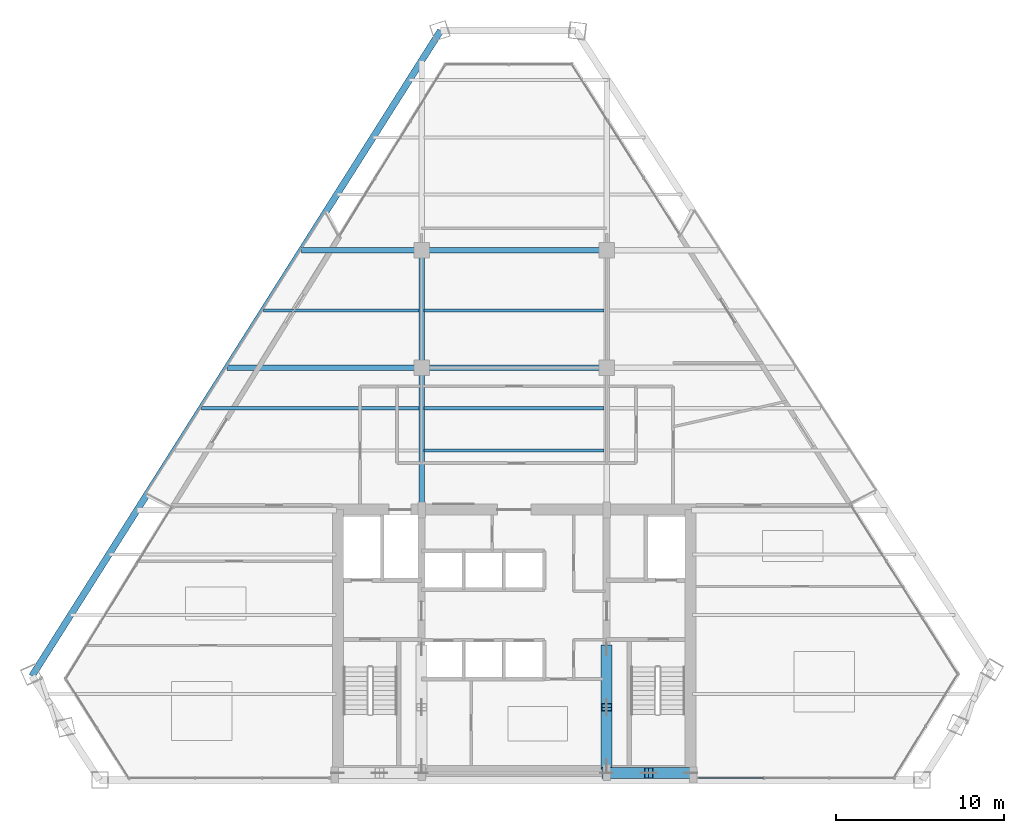
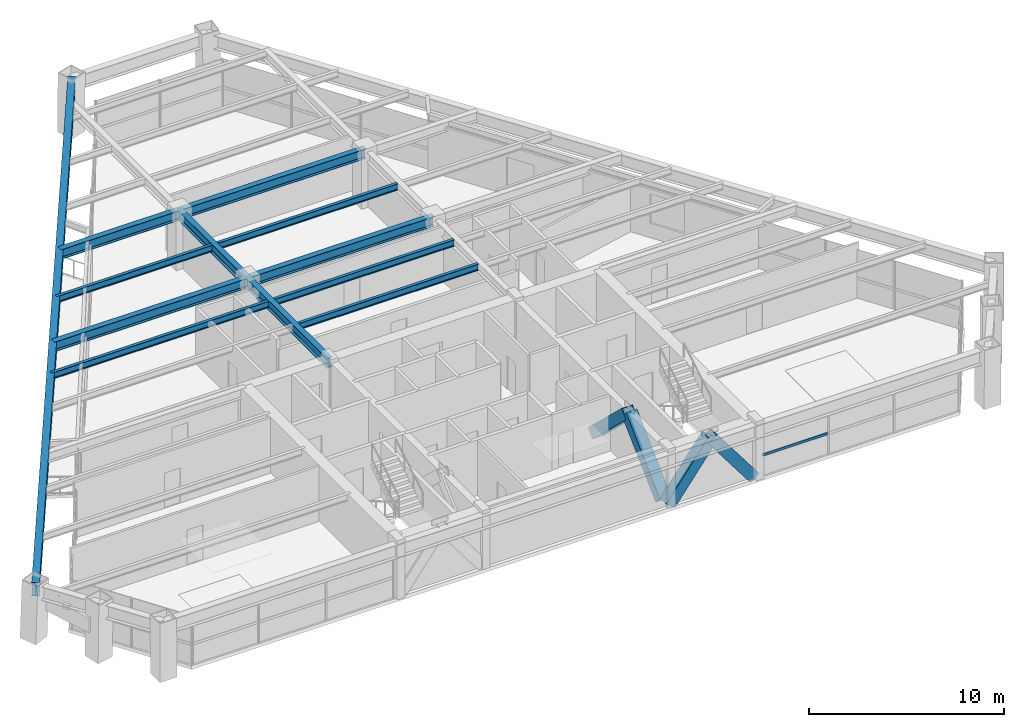
# One storey, part 5 of 15: 12 beams, 5 members, 1 element without a shape of its own.
"""IFC4 building model written with IfcOpenShell, lengths in metres."""

from ifc_helpers import new_model, si_unit, direction, frame, origin, origin_2d, place, context, subcontext, project, spatial, rectangle, hollow_rectangle, i_section, extrude, source, transform, mapped, material, material_profile, profile_set, type_object, type_shapes, element, aggregate, save


model = new_model("IFC4")

# Units and contexts
model_context = context("Model", 3, precision=1e-05, world=origin(), true_north=direction((0.0, 1.0)))
body_context = subcontext(model_context, "Body", "Model", "MODEL_VIEW")
ifc_project = project(units=[si_unit("LENGTHUNIT", "METRE"), si_unit("AREAUNIT", "SQUARE_METRE"), si_unit("VOLUMEUNIT", "CUBIC_METRE"), si_unit("PLANEANGLEUNIT", "RADIAN"), si_unit("MASSUNIT", "GRAM", prefix="KILO")], contexts=[model_context])

# Site, building, storey
site_placement = place(None, origin())
site = spatial("IfcSite", under=ifc_project, at=site_placement, CompositionType="ELEMENT")
building_placement = place(site_placement, origin())
building = spatial("IfcBuilding", under=site, at=building_placement, Name="Varnakhor Terracotta Tower", CompositionType="ELEMENT")
storey_placement = place(building_placement, frame((0.0, 0.0, 189.5)))
storey = spatial("IfcBuildingStorey", under=building, at=storey_placement, Name="L48", CompositionType="ELEMENT", Elevation=189.5)

# Beams
ifc_material_1 = material(Name="Steel S355", Category="steel")
ifc_material_profile_1 = material_profile(ifc_material_1, i_section(OverallWidth=0.324951171875, OverallDepth=0.615966796875, WebThickness=0.013916015625, FlangeThickness=0.02197265625, FilletRadius=0.01806640625, at=origin_2d()), Name="W24X117")
ifc_profile_set_1 = profile_set([ifc_material_profile_1], Name="Steel S355")
beam_type_1 = type_object("IfcBeamType", Name="BM-W24X117", PredefinedType="BEAM", material=ifc_profile_set_1)
shared_shape_1 = source(origin(), body_context, "Body", "SweptSolid", [
    extrude(i_section(OverallWidth=0.324951171875, OverallDepth=0.615966796875, WebThickness=0.013916015625, FlangeThickness=0.02197265625, FilletRadius=0.01806640625, at=origin_2d()), origin(), (0.0, 0.0, 1.0), 8.449951171875),
])
type_shapes(beam_type_1, [shared_shape_1])
beam_1_placement = place(storey_placement, frame((-5.5, 16.050048828125, 3.162109375), z_axis=(0.0, 1.0, 0.0), x_axis=(-1.0, 0.0, 0.0)))
element("IfcBeam", 1, at=beam_1_placement, inside=storey, type_object=beam_type_1, Name="L48 Primary Girder NS1-W", PredefinedType="BEAM", context=body_context, shape_type="MappedRepresentation", body=[
    mapped(shared_shape_1, transform((0.0, 0.0, 0.0), scale=1.0)),
])
shared_shape_2 = source(origin(), body_context, "Body", "SweptSolid", [
    extrude(i_section(OverallWidth=0.324951171875, OverallDepth=0.615966796875, WebThickness=0.013916015625, FlangeThickness=0.02197265625, FilletRadius=0.01806640625, at=origin_2d()), origin(), (0.0, 0.0, 1.0), 7.0),
])
beam_2_placement = place(storey_placement, frame((-5.5, 24.5, 3.162109375), z_axis=(0.0, 1.0, 0.0), x_axis=(-1.0, 0.0, 0.0)))
element("IfcBeam", 2, at=beam_2_placement, inside=storey, type_object=beam_type_1, Name="L48 Primary Girder NS2-W", PredefinedType="BEAM", context=body_context, shape_type="MappedRepresentation", body=[
    mapped(shared_shape_2, transform((0.0, 0.0, 0.0), scale=1.0)),
])
shared_shape_3 = source(origin(), body_context, "Body", "SweptSolid", [
    extrude(i_section(OverallWidth=0.324951171875, OverallDepth=0.615966796875, WebThickness=0.013916015625, FlangeThickness=0.02197265625, FilletRadius=0.01806640625, at=origin_2d()), origin(), (0.0, 0.0, 1.0), 11.0),
])
for number, where, z_axis, x_axis, name in (
    (3, (-5.5, 24.5, 3.162109375), (1.0, 0.0, 0.0), (0.0, 1.0, 0.0), "L48 Primary Girder EW2-2"),
    (4, (-5.5, 31.5, 3.162109375), (1.0, 0.0, 0.0), (0.0, 1.0, 0.0), "L48 Primary Girder EW3-2"),
):
    element("IfcBeam", number, at=place(storey_placement, frame(where, z_axis=z_axis, x_axis=x_axis)), inside=storey, type_object=beam_type_1, Name=name, PredefinedType="BEAM", context=body_context, shape_type="MappedRepresentation", body=[
        mapped(shared_shape_3, transform((0.0, 0.0, 0.0), scale=1.0)),
    ])
ifc_material_profile_2 = material_profile(ifc_material_1, i_section(OverallWidth=0.179931640625, OverallDepth=0.4130859375, WebThickness=0.009765625, FlangeThickness=0.01611328125, FilletRadius=0.01806640625, at=origin_2d()), Name="W16X50")
ifc_profile_set_2 = profile_set([ifc_material_profile_2], Name="Steel S355")
beam_type_2 = type_object("IfcBeamType", Name="JST-W16X50", PredefinedType="JOIST", material=ifc_profile_set_2)
shared_shape_4 = source(origin(), body_context, "Body", "SweptSolid", [
    extrude(i_section(OverallWidth=0.179931640625, OverallDepth=0.4130859375, WebThickness=0.009765625, FlangeThickness=0.01611328125, FilletRadius=0.01806640625, at=origin_2d()), origin(), (0.0, 0.0, 1.0), 10.68310546875),
])
for number, where, z_axis, x_axis, name in (
    (5, (-5.341552734375, 19.60009765625, 3.263427734375), (1.0, 0.0, 0.0), (0.0, 1.0, 0.0), "L48 Composite Floor Joist 4-2"),
    (6, (-5.341552734375, 22.10009765625, 3.263427734375), (1.0, 0.0, 0.0), (0.0, 1.0, 0.0), "L48 Composite Floor Joist 5-2"),
    (7, (-5.341552734375, 27.89990234375, 3.263427734375), (1.0, 0.0, 0.0), (0.0, 1.0, 0.0), "L48 Composite Floor Joist 6-2"),
):
    element("IfcBeam", number, at=place(storey_placement, frame(where, z_axis=z_axis, x_axis=x_axis)), inside=storey, type_object=beam_type_2, Name=name, PredefinedType="JOIST", context=body_context, shape_type="MappedRepresentation", body=[
        mapped(shared_shape_4, transform((0.0, 0.0, 0.0), scale=1.0)),
    ])

# Members
ifc_material_2 = material(Name="Steel S460", Category="steel")
ifc_material_profile_3 = material_profile(ifc_material_2, hollow_rectangle(XDim=0.64990234375, YDim=0.64990234375, WallThickness=0.0400390625, at=origin_2d()), Name="HSS650X650X40")
ifc_profile_set_3 = profile_set([ifc_material_profile_3], Name="Steel S460")
member_type_1 = type_object("IfcMemberType", Name="MBR-MEGA-650", PredefinedType="BRACE", material=ifc_profile_set_3)
shared_shape_5 = source(origin(), body_context, "Body", "SweptSolid", [
    extrude(hollow_rectangle(XDim=0.64990234375, YDim=0.64990234375, WallThickness=0.0400390625, at=origin_2d()), origin(), (0.0, 0.0, 1.0), 4.805908203125),
])
member_1_placement = place(storey_placement, frame((5.5, 0.85009765625, 0.0), z_axis=(0.0, 0.723026776832, 0.69082000549), x_axis=(-1.0, 0.0, 0.0)))
element("IfcMember", 8, at=member_1_placement, inside=storey, type_object=member_type_1, Name="L48 Core Coupled Brace CWEA", PredefinedType="BRACE", context=body_context, shape_type="MappedRepresentation", body=[
    mapped(shared_shape_5, transform((0.0, 0.0, 0.0), scale=1.0)),
])
shared_shape_6 = source(origin(), body_context, "Body", "SweptSolid", [
    extrude(hollow_rectangle(XDim=0.64990234375, YDim=0.64990234375, WallThickness=0.0400390625, at=origin_2d()), origin(), (0.0, 0.0, 1.0), 4.156005859375),
])
for number, where, z_axis, x_axis, name in (
    (9, (5.5, 0.419921875, 0.0), (0.601530923869, 0.0, 0.798849515009), (0.0, 1.0, 0.0), "L48 Core Coupled Brace CSEA"),
    (10, (10.5, 0.419921875, 0.0), (-0.601530923869, 0.0, 0.798849515009), (0.0, -1.0, 0.0), "L48 Core Coupled Brace CSEB"),
):
    element("IfcMember", number, at=place(storey_placement, frame(where, z_axis=z_axis, x_axis=x_axis)), inside=storey, type_object=member_type_1, Name=name, PredefinedType="BRACE", context=body_context, shape_type="MappedRepresentation", body=[
        mapped(shared_shape_6, transform((0.0, 0.0, 0.0), scale=1.0)),
    ])
shared_shape_7 = source(origin(), body_context, "Body", "SweptSolid", [
    extrude(hollow_rectangle(XDim=0.64990234375, YDim=0.64990234375, WallThickness=0.0400390625, at=origin_2d()), origin(), (0.0, 0.0, 1.0), 4.80615234375),
])
member_2_placement = place(storey_placement, frame((5.5, 7.800048828125, 0.0), z_axis=(0.0, -0.723051018573, 0.690794632681), x_axis=(1.0, 0.0, 0.0)))
element("IfcMember", 11, at=member_2_placement, inside=storey, type_object=member_type_1, Name="L48 Core Coupled Brace CWEB", PredefinedType="BRACE", context=body_context, shape_type="MappedRepresentation", body=[
    mapped(shared_shape_7, transform((0.0, 0.0, 0.0), scale=1.0)),
])

# Beams
ifc_material_profile_4 = material_profile(ifc_material_1, i_section(OverallWidth=0.39990234375, OverallDepth=0.85498046875, WebThickness=0.01806640625, FlangeThickness=0.029052734375, FilletRadius=0.01806640625, at=origin_2d()), Name="W33X201")
ifc_profile_set_4 = profile_set([ifc_material_profile_4], Name="Steel S355")
beam_type_3 = type_object("IfcBeamType", Name="BM-W33X201", PredefinedType="BEAM", material=ifc_profile_set_4)
shared_shape_8 = source(origin(), body_context, "Body", "SweptSolid", [
    extrude(i_section(OverallWidth=0.39990234375, OverallDepth=0.85498046875, WebThickness=0.01806640625, FlangeThickness=0.029052734375, FilletRadius=0.01806640625, at=origin_2d()), origin(), (0.0, 0.0, 1.0), 45.4150390625),
])
beam_3_placement = place(storey_placement, frame((-4.3642578125, 44.55078125, 3.04248046875), z_axis=(-0.53495922758, -0.844877875688, 0.0), x_axis=(0.844877875688, -0.53495922758, 0.0)))
element("IfcBeam", 12, at=beam_3_placement, inside=storey, type_object=beam_type_3, Name="L48 Perimeter Spandrel 6", PredefinedType="BEAM", context=body_context, shape_type="MappedRepresentation", body=[
    mapped(shared_shape_8, transform((0.0, 0.0, 0.0), scale=1.0)),
])
shared_shape_9 = source(origin(), body_context, "Body", "SweptSolid", [
    extrude(i_section(OverallWidth=0.324951171875, OverallDepth=0.615966796875, WebThickness=0.013916015625, FlangeThickness=0.02197265625, FilletRadius=0.01806640625, at=origin_2d()), origin(), (0.0, 0.0, 1.0), 11.56005859375),
])
beam_4_placement = place(storey_placement, frame((-17.06005859375, 24.5, 3.162109375), z_axis=(1.0, 0.0, 0.0), x_axis=(0.0, 1.0, 0.0)))
element("IfcBeam", 13, at=beam_4_placement, inside=storey, type_object=beam_type_1, Name="L48 Primary Girder EW2-1", PredefinedType="BEAM", context=body_context, shape_type="MappedRepresentation", body=[
    mapped(shared_shape_9, transform((0.0, 0.0, 0.0), scale=1.0)),
])
shared_shape_10 = source(origin(), body_context, "Body", "SweptSolid", [
    extrude(i_section(OverallWidth=0.324951171875, OverallDepth=0.615966796875, WebThickness=0.013916015625, FlangeThickness=0.02197265625, FilletRadius=0.01806640625, at=origin_2d()), origin(), (0.0, 0.0, 1.0), 7.127685546875),
])
beam_5_placement = place(storey_placement, frame((-12.627685546875, 31.5, 3.162109375), z_axis=(1.0, 0.0, 0.0), x_axis=(0.0, 1.0, 0.0)))
element("IfcBeam", 14, at=beam_5_placement, inside=storey, type_object=beam_type_1, Name="L48 Primary Girder EW3-1", PredefinedType="BEAM", context=body_context, shape_type="MappedRepresentation", body=[
    mapped(shared_shape_10, transform((0.0, 0.0, 0.0), scale=1.0)),
])
shared_shape_11 = source(origin(), body_context, "Body", "SweptSolid", [
    extrude(i_section(OverallWidth=0.179931640625, OverallDepth=0.4130859375, WebThickness=0.009765625, FlangeThickness=0.01611328125, FilletRadius=0.01806640625, at=origin_2d()), origin(), (0.0, 0.0, 1.0), 12.921142578125),
])
beam_6_placement = place(storey_placement, frame((-18.57958984375, 22.10009765625, 3.263427734375), z_axis=(1.0, 0.0, 0.0), x_axis=(0.0, 1.0, 0.0)))
element("IfcBeam", 15, at=beam_6_placement, inside=storey, type_object=beam_type_2, Name="L48 Composite Floor Joist 5-1", PredefinedType="JOIST", context=body_context, shape_type="MappedRepresentation", body=[
    mapped(shared_shape_11, transform((0.0, 0.0, 0.0), scale=1.0)),
])
shared_shape_12 = source(origin(), body_context, "Body", "SweptSolid", [
    extrude(i_section(OverallWidth=0.179931640625, OverallDepth=0.4130859375, WebThickness=0.009765625, FlangeThickness=0.01611328125, FilletRadius=0.01806640625, at=origin_2d()), origin(), (0.0, 0.0, 1.0), 9.248779296875),
])
beam_7_placement = place(storey_placement, frame((-14.9072265625, 27.89990234375, 3.263427734375), z_axis=(1.0, 0.0, 0.0), x_axis=(0.0, 1.0, 0.0)))
element("IfcBeam", 16, at=beam_7_placement, inside=storey, type_object=beam_type_2, Name="L48 Composite Floor Joist 6-1", PredefinedType="JOIST", context=body_context, shape_type="MappedRepresentation", body=[
    mapped(shared_shape_12, transform((0.0, 0.0, 0.0), scale=1.0)),
])

# Curtain wall, member
ifc_material_3 = material(Name="Anodised Aluminium Curtain Wall System", Category="aluminium")
curtain_wall_type = type_object("IfcCurtainWallType", Name="CW-SYS-MID-OFFICE", PredefinedType="NOTDEFINED", material=ifc_material_3)
curtain_wall_placement = place(storey_placement, origin())
curtain_wall = element("IfcCurtainWall", 17, at=curtain_wall_placement, inside=storey, type_object=curtain_wall_type, Name="L48 South Wing Curtain Wall SSE", PredefinedType="NOTDEFINED")
ifc_material_4 = material(Name="Anodised Aluminium 6063-T6", Category="aluminium")
ifc_material_profile_5 = material_profile(ifc_material_4, rectangle(XDim=0.070068359375, YDim=0.155029296875, at=origin_2d()), Name="ALU TRANSOM 70x155")
ifc_profile_set_5 = profile_set([ifc_material_profile_5], Name="Anodised Aluminium 6063-T6")
member_type_2 = type_object("IfcMemberType", Name="CWT-03", PredefinedType="USERDEFINED", material=ifc_profile_set_5)
shared_shape_13 = source(origin(), body_context, "Body", "SweptSolid", [
    extrude(rectangle(XDim=0.070068359375, YDim=0.155029296875, at=origin_2d()), origin(), (0.0, 0.0, 1.0), 3.882080078125),
])
member_3_placement = place(storey_placement, frame((14.85205078125, 0.1201171875, 1.281005859375), z_axis=(-1.0, 0.0, 0.0), x_axis=(0.0, -1.0, 0.0)))
member_3 = element("IfcMember", 18, at=member_3_placement, type_object=member_type_2, Name="L48 South Wing Curtain Wall SSE Transom 3", ObjectType="TRANSOM", PredefinedType="USERDEFINED", context=body_context, shape_type="MappedRepresentation", body=[
    mapped(shared_shape_13, transform((0.0, 0.0, 0.0), scale=1.0)),
])
aggregate(curtain_wall, [member_3])

save(model, "model.ifc")
